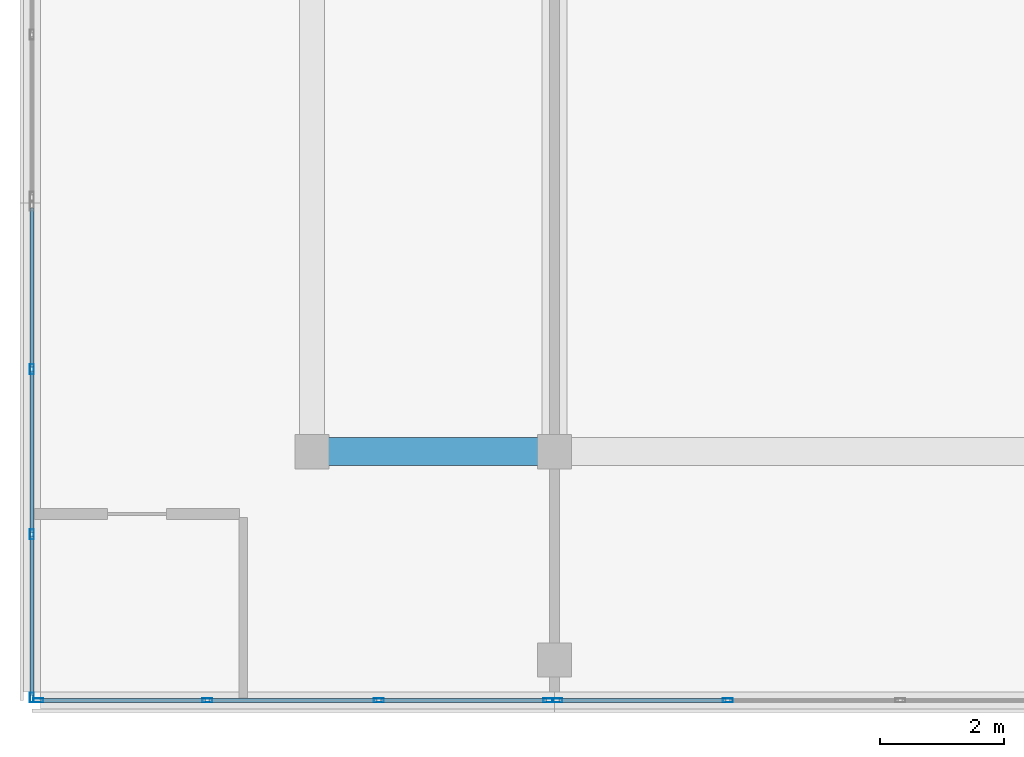
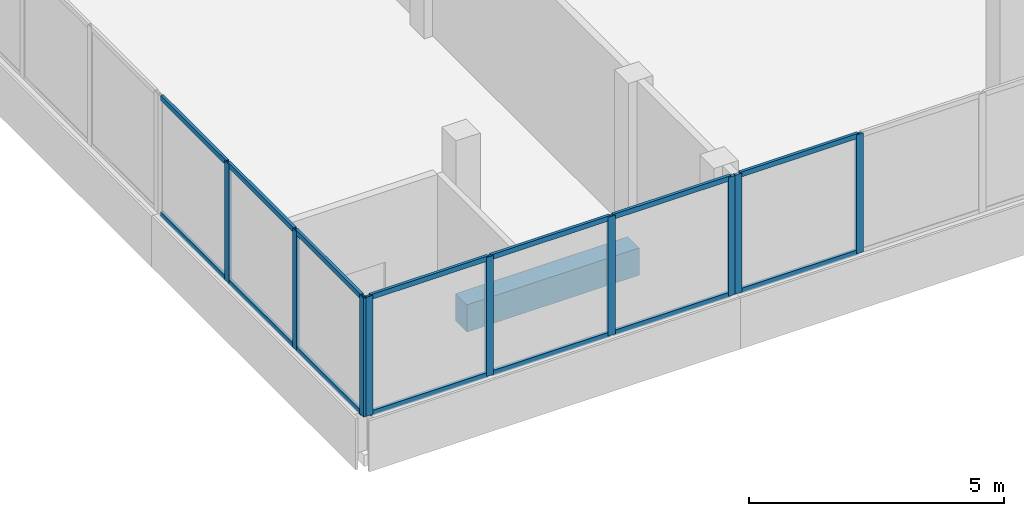
# One storey, part 2 of 66: 23 members, 1 beam, 3 elements without a shape of their own.
"""IFC4 building model written with IfcOpenShell, lengths in metres."""

from ifc_helpers import new_model, si_unit, direction, frame, origin, origin_2d, place, context, subcontext, project, spatial, rectangle, hollow_rectangle, extrude, material, material_profile, profile_set, type_object, element, aggregate, save


model = new_model("IFC4")

# Units and contexts
model_context = context("Model", 3, precision=1e-05, world=origin(), true_north=direction((0.0, 1.0)))
body_context = subcontext(model_context, "Body", "Model", "MODEL_VIEW")
ifc_project = project(units=[si_unit("LENGTHUNIT", "METRE"), si_unit("AREAUNIT", "SQUARE_METRE"), si_unit("VOLUMEUNIT", "CUBIC_METRE"), si_unit("PLANEANGLEUNIT", "RADIAN"), si_unit("MASSUNIT", "GRAM", prefix="KILO")], contexts=[model_context])

# Site, building, storey
site_placement = place(None, origin())
site = spatial("IfcSite", under=ifc_project, at=site_placement, CompositionType="ELEMENT")
building_placement = place(site_placement, origin())
building = spatial("IfcBuilding", under=site, at=building_placement, Name="Selatvlak General Hospital", CompositionType="ELEMENT")
storey_placement = place(building_placement, frame((0.0, 0.0, 31.35009765625)))
storey = spatial("IfcBuildingStorey", under=building, at=storey_placement, Name="L07", CompositionType="ELEMENT", Elevation=31.35009765625)

# Beam
ifc_material_1 = material(Name="Concrete C40/50", Category="concrete")
ifc_material_profile_1 = material_profile(ifc_material_1, rectangle(XDim=0.449951171875, YDim=0.64990234375, at=origin_2d()), Name="RC-BM 450x650")
ifc_profile_set_1 = profile_set([ifc_material_profile_1], Name="Concrete C40/50")
beam_type = type_object("IfcBeamType", Name="BM-G04", PredefinedType="BEAM", material=ifc_profile_set_1)
beam_placement = place(storey_placement, frame((27.300048828125, 92.0, -0.59521484375), z_axis=(1.0, 0.0, 0.0), x_axis=(0.0, 1.0, 0.0)))
element("IfcBeam", 1, at=beam_placement, inside=storey, type_object=beam_type, Name="Beam BMR-L07-2381", PredefinedType="BEAM", context=body_context, shape_type="SweptSolid", body=[
    extrude(rectangle(XDim=0.449951171875, YDim=0.64990234375, at=origin_2d()), origin(), (0.0, 0.0, 1.0), 3.89990234375),
])

# Curtain wall, members
ifc_material_2 = material(Name="Solar-control Low-E double glazing", Category="glass")
curtain_wall_type_1 = type_object("IfcCurtainWallType", Name="CW-CW-01", PredefinedType="USERDEFINED", material=ifc_material_2)
curtain_wall_1_placement = place(storey_placement, origin())
curtain_wall_1 = element("IfcCurtainWall", 2, at=curtain_wall_1_placement, inside=storey, type_object=curtain_wall_type_1, Name="Glazed facade curtain wall CW-L07-0639", ObjectType="UNITISED CURTAIN WALL", PredefinedType="USERDEFINED")
ifc_material_3 = material(Name="Dark anodised aluminium mullion", Category="aluminium")
ifc_material_profile_2 = material_profile(ifc_material_3, hollow_rectangle(XDim=0.06494140625, YDim=0.159912109375, WallThickness=0.00390625, at=origin_2d()), Name="AL-MUL 65x160x4")
ifc_profile_set_2 = profile_set([ifc_material_profile_2], Name="Dark anodised aluminium mullion")
member_type_1 = type_object("IfcMemberType", Name="CWM-01", PredefinedType="MULLION", material=ifc_profile_set_2)
member_1_placement = place(storey_placement, frame((22.800048828125, 88.047607421875, 0.93994140625), z_axis=(0.0, 0.0, 1.0), x_axis=(-1.0, 0.0, 0.0)))
member_1 = element("IfcMember", 3, at=member_1_placement, type_object=member_type_1, Name="CW-01 mullion 1", PredefinedType="MULLION", context=body_context, shape_type="SweptSolid", body=[
    extrude(hollow_rectangle(XDim=0.06494140625, YDim=0.159912109375, WallThickness=0.00390625, at=origin_2d()), origin(), (0.0, 0.0, 1.0), 2.844970703125),
])
member_2_placement = place(storey_placement, frame((22.800048828125, 90.671630859375, 0.93994140625), z_axis=(0.0, 0.0, 1.0), x_axis=(-1.0, 0.0, 0.0)))
member_2 = element("IfcMember", 4, at=member_2_placement, type_object=member_type_1, Name="CW-01 mullion 2", PredefinedType="MULLION", context=body_context, shape_type="SweptSolid", body=[
    extrude(hollow_rectangle(XDim=0.06494140625, YDim=0.159912109375, WallThickness=0.00390625, at=origin_2d()), origin(), (0.0, 0.0, 1.0), 2.844970703125),
])
member_3_placement = place(storey_placement, frame((22.800048828125, 93.328369140625, 0.93994140625), z_axis=(0.0, 0.0, 1.0), x_axis=(-1.0, 0.0, 0.0)))
member_3 = element("IfcMember", 5, at=member_3_placement, type_object=member_type_1, Name="CW-01 mullion 3", PredefinedType="MULLION", context=body_context, shape_type="SweptSolid", body=[
    extrude(hollow_rectangle(XDim=0.06494140625, YDim=0.159912109375, WallThickness=0.00390625, at=origin_2d()), origin(), (0.0, 0.0, 1.0), 2.844970703125),
])

curtain_wall_type_2 = type_object("IfcCurtainWallType", Name="CW-CW-02", PredefinedType="USERDEFINED", material=ifc_material_2)
curtain_wall_2_placement = place(storey_placement, origin())
curtain_wall_2 = element("IfcCurtainWall", 6, at=curtain_wall_2_placement, inside=storey, type_object=curtain_wall_type_2, Name="Glazed facade curtain wall CW-L07-0678", ObjectType="UNITISED CURTAIN WALL", PredefinedType="USERDEFINED")
member_4_placement = place(storey_placement, frame((33.98828125, 88.0, 0.93994140625), z_axis=(0.0, 0.0, 1.0), x_axis=(0.0, -1.0, 0.0)))
member_4 = element("IfcMember", 7, at=member_4_placement, type_object=member_type_1, Name="CW-02 mullion 3", PredefinedType="MULLION", context=body_context, shape_type="SweptSolid", body=[
    extrude(hollow_rectangle(XDim=0.06494140625, YDim=0.159912109375, WallThickness=0.00390625, at=origin_2d()), origin(), (0.0, 0.0, 1.0), 2.844970703125),
])
member_5_placement = place(storey_placement, frame((31.24755859375, 88.0, 0.93994140625), z_axis=(0.0, 0.0, 1.0), x_axis=(0.0, -1.0, 0.0)))
member_5 = element("IfcMember", 8, at=member_5_placement, type_object=member_type_1, Name="CW-02 mullion 4", PredefinedType="MULLION", context=body_context, shape_type="SweptSolid", body=[
    extrude(hollow_rectangle(XDim=0.06494140625, YDim=0.159912109375, WallThickness=0.00390625, at=origin_2d()), origin(), (0.0, 0.0, 1.0), 2.844970703125),
])

curtain_wall_3_placement = place(storey_placement, origin())
curtain_wall_3 = element("IfcCurtainWall", 9, at=curtain_wall_3_placement, inside=storey, type_object=curtain_wall_type_1, Name="Glazed facade curtain wall CW-L07-0679", ObjectType="UNITISED CURTAIN WALL", PredefinedType="USERDEFINED")
member_6_placement = place(storey_placement, frame((31.1025390625, 88.0, 0.93994140625), z_axis=(0.0, 0.0, 1.0), x_axis=(0.0, -1.0, 0.0)))
member_6 = element("IfcMember", 10, at=member_6_placement, type_object=member_type_1, Name="CW-01 mullion 1", PredefinedType="MULLION", context=body_context, shape_type="SweptSolid", body=[
    extrude(hollow_rectangle(XDim=0.06494140625, YDim=0.159912109375, WallThickness=0.00390625, at=origin_2d()), origin(), (0.0, 0.0, 1.0), 2.844970703125),
])
member_7_placement = place(storey_placement, frame((28.37841796875, 88.0, 0.93994140625), z_axis=(0.0, 0.0, 1.0), x_axis=(0.0, -1.0, 0.0)))
member_7 = element("IfcMember", 11, at=member_7_placement, type_object=member_type_1, Name="CW-01 mullion 2", PredefinedType="MULLION", context=body_context, shape_type="SweptSolid", body=[
    extrude(hollow_rectangle(XDim=0.06494140625, YDim=0.159912109375, WallThickness=0.00390625, at=origin_2d()), origin(), (0.0, 0.0, 1.0), 2.844970703125),
])
member_8_placement = place(storey_placement, frame((25.62158203125, 88.0, 0.93994140625), z_axis=(0.0, 0.0, 1.0), x_axis=(0.0, -1.0, 0.0)))
member_8 = element("IfcMember", 12, at=member_8_placement, type_object=member_type_1, Name="CW-01 mullion 3", PredefinedType="MULLION", context=body_context, shape_type="SweptSolid", body=[
    extrude(hollow_rectangle(XDim=0.06494140625, YDim=0.159912109375, WallThickness=0.00390625, at=origin_2d()), origin(), (0.0, 0.0, 1.0), 2.844970703125),
])
member_9_placement = place(storey_placement, frame((22.8974609375, 88.0, 0.93994140625), z_axis=(0.0, 0.0, 1.0), x_axis=(0.0, -1.0, 0.0)))
member_9 = element("IfcMember", 13, at=member_9_placement, type_object=member_type_1, Name="CW-01 mullion 4", PredefinedType="MULLION", context=body_context, shape_type="SweptSolid", body=[
    extrude(hollow_rectangle(XDim=0.06494140625, YDim=0.159912109375, WallThickness=0.00390625, at=origin_2d()), origin(), (0.0, 0.0, 1.0), 2.844970703125),
])

# Member
ifc_material_profile_3 = material_profile(ifc_material_3, hollow_rectangle(XDim=0.06494140625, YDim=0.1201171875, WallThickness=0.00390625, at=origin_2d()), Name="AL-TRN 65x120x4")
ifc_profile_set_3 = profile_set([ifc_material_profile_3], Name="Dark anodised aluminium mullion")
member_type_2 = type_object("IfcMemberType", Name="CWT-01", PredefinedType="USERDEFINED", material=ifc_profile_set_3)
member_10_placement = place(storey_placement, frame((22.800048828125, 88.080078125, 0.972412109375), z_axis=(0.0, 1.0, 0.0), x_axis=(-1.0, 0.0, 0.0)))
member_10 = element("IfcMember", 14, at=member_10_placement, type_object=member_type_2, Name="CW-01 transom 1.1", ObjectType="TRANSOM", PredefinedType="USERDEFINED", context=body_context, shape_type="SweptSolid", body=[
    extrude(hollow_rectangle(XDim=0.06494140625, YDim=0.1201171875, WallThickness=0.00390625, at=origin_2d()), origin(), (0.0, 0.0, 1.0), 2.55908203125),
])

member_11_placement = place(storey_placement, frame((22.800048828125, 88.080078125, 3.75244140625), z_axis=(0.0, 1.0, 0.0), x_axis=(-1.0, 0.0, 0.0)))
member_11 = element("IfcMember", 15, at=member_11_placement, type_object=member_type_2, Name="CW-01 transom 1.2", ObjectType="TRANSOM", PredefinedType="USERDEFINED", context=body_context, shape_type="SweptSolid", body=[
    extrude(hollow_rectangle(XDim=0.06494140625, YDim=0.1201171875, WallThickness=0.00390625, at=origin_2d()), origin(), (0.0, 0.0, 1.0), 2.55908203125),
])

member_12_placement = place(storey_placement, frame((22.800048828125, 90.7041015625, 0.972412109375), z_axis=(0.0, 1.0, 0.0), x_axis=(-1.0, 0.0, 0.0)))
member_12 = element("IfcMember", 16, at=member_12_placement, type_object=member_type_2, Name="CW-01 transom 2.1", ObjectType="TRANSOM", PredefinedType="USERDEFINED", context=body_context, shape_type="SweptSolid", body=[
    extrude(hollow_rectangle(XDim=0.06494140625, YDim=0.1201171875, WallThickness=0.00390625, at=origin_2d()), origin(), (0.0, 0.0, 1.0), 2.591796875),
])

member_13_placement = place(storey_placement, frame((22.800048828125, 90.7041015625, 3.75244140625), z_axis=(0.0, 1.0, 0.0), x_axis=(-1.0, 0.0, 0.0)))
member_13 = element("IfcMember", 17, at=member_13_placement, type_object=member_type_2, Name="CW-01 transom 2.2", ObjectType="TRANSOM", PredefinedType="USERDEFINED", context=body_context, shape_type="SweptSolid", body=[
    extrude(hollow_rectangle(XDim=0.06494140625, YDim=0.1201171875, WallThickness=0.00390625, at=origin_2d()), origin(), (0.0, 0.0, 1.0), 2.591796875),
])

member_14_placement = place(storey_placement, frame((22.800048828125, 93.36083984375, 0.972412109375), z_axis=(0.0, 1.0, 0.0), x_axis=(-1.0, 0.0, 0.0)))
member_14 = element("IfcMember", 18, at=member_14_placement, type_object=member_type_2, Name="CW-01 transom 3.1", ObjectType="TRANSOM", PredefinedType="USERDEFINED", context=body_context, shape_type="SweptSolid", body=[
    extrude(hollow_rectangle(XDim=0.06494140625, YDim=0.1201171875, WallThickness=0.00390625, at=origin_2d()), origin(), (0.0, 0.0, 1.0), 2.55908203125),
])

member_15_placement = place(storey_placement, frame((22.800048828125, 93.36083984375, 3.75244140625), z_axis=(0.0, 1.0, 0.0), x_axis=(-1.0, 0.0, 0.0)))
member_15 = element("IfcMember", 19, at=member_15_placement, type_object=member_type_2, Name="CW-01 transom 3.2", ObjectType="TRANSOM", PredefinedType="USERDEFINED", context=body_context, shape_type="SweptSolid", body=[
    extrude(hollow_rectangle(XDim=0.06494140625, YDim=0.1201171875, WallThickness=0.00390625, at=origin_2d()), origin(), (0.0, 0.0, 1.0), 2.55908203125),
])

aggregate(curtain_wall_1, [member_1, member_2, member_3, member_10, member_11, member_12, member_13, member_14, member_15])

member_16_placement = place(storey_placement, frame((33.955810546875, 88.0, 0.972412109375), z_axis=(-1.0, 0.0, 0.0), x_axis=(0.0, -1.0, 0.0)))
member_16 = element("IfcMember", 20, at=member_16_placement, type_object=member_type_2, Name="CW-02 transom 3.1", ObjectType="TRANSOM", PredefinedType="USERDEFINED", context=body_context, shape_type="SweptSolid", body=[
    extrude(hollow_rectangle(XDim=0.06494140625, YDim=0.1201171875, WallThickness=0.00390625, at=origin_2d()), origin(), (0.0, 0.0, 1.0), 2.67578125),
])

member_17_placement = place(storey_placement, frame((33.955810546875, 88.0, 3.75244140625), z_axis=(-1.0, 0.0, 0.0), x_axis=(0.0, -1.0, 0.0)))
member_17 = element("IfcMember", 21, at=member_17_placement, type_object=member_type_2, Name="CW-02 transom 3.2", ObjectType="TRANSOM", PredefinedType="USERDEFINED", context=body_context, shape_type="SweptSolid", body=[
    extrude(hollow_rectangle(XDim=0.06494140625, YDim=0.1201171875, WallThickness=0.00390625, at=origin_2d()), origin(), (0.0, 0.0, 1.0), 2.67578125),
])

aggregate(curtain_wall_2, [member_4, member_5, member_16, member_17])

member_18_placement = place(storey_placement, frame((31.070068359375, 88.0, 0.972412109375), z_axis=(-1.0, 0.0, 0.0), x_axis=(0.0, -1.0, 0.0)))
member_18 = element("IfcMember", 22, at=member_18_placement, type_object=member_type_2, Name="CW-01 transom 1.1", ObjectType="TRANSOM", PredefinedType="USERDEFINED", context=body_context, shape_type="SweptSolid", body=[
    extrude(hollow_rectangle(XDim=0.06494140625, YDim=0.1201171875, WallThickness=0.00390625, at=origin_2d()), origin(), (0.0, 0.0, 1.0), 2.6591796875),
])

member_19_placement = place(storey_placement, frame((31.070068359375, 88.0, 3.75244140625), z_axis=(-1.0, 0.0, 0.0), x_axis=(0.0, -1.0, 0.0)))
member_19 = element("IfcMember", 23, at=member_19_placement, type_object=member_type_2, Name="CW-01 transom 1.2", ObjectType="TRANSOM", PredefinedType="USERDEFINED", context=body_context, shape_type="SweptSolid", body=[
    extrude(hollow_rectangle(XDim=0.06494140625, YDim=0.1201171875, WallThickness=0.00390625, at=origin_2d()), origin(), (0.0, 0.0, 1.0), 2.6591796875),
])

member_20_placement = place(storey_placement, frame((28.345947265625, 88.0, 0.972412109375), z_axis=(-1.0, 0.0, 0.0), x_axis=(0.0, -1.0, 0.0)))
member_20 = element("IfcMember", 24, at=member_20_placement, type_object=member_type_2, Name="CW-01 transom 2.1", ObjectType="TRANSOM", PredefinedType="USERDEFINED", context=body_context, shape_type="SweptSolid", body=[
    extrude(hollow_rectangle(XDim=0.06494140625, YDim=0.1201171875, WallThickness=0.00390625, at=origin_2d()), origin(), (0.0, 0.0, 1.0), 2.69189453125),
])

member_21_placement = place(storey_placement, frame((28.345947265625, 88.0, 3.75244140625), z_axis=(-1.0, 0.0, 0.0), x_axis=(0.0, -1.0, 0.0)))
member_21 = element("IfcMember", 25, at=member_21_placement, type_object=member_type_2, Name="CW-01 transom 2.2", ObjectType="TRANSOM", PredefinedType="USERDEFINED", context=body_context, shape_type="SweptSolid", body=[
    extrude(hollow_rectangle(XDim=0.06494140625, YDim=0.1201171875, WallThickness=0.00390625, at=origin_2d()), origin(), (0.0, 0.0, 1.0), 2.69189453125),
])

member_22_placement = place(storey_placement, frame((25.589111328125, 88.0, 0.972412109375), z_axis=(-1.0, 0.0, 0.0), x_axis=(0.0, -1.0, 0.0)))
member_22 = element("IfcMember", 26, at=member_22_placement, type_object=member_type_2, Name="CW-01 transom 3.1", ObjectType="TRANSOM", PredefinedType="USERDEFINED", context=body_context, shape_type="SweptSolid", body=[
    extrude(hollow_rectangle(XDim=0.06494140625, YDim=0.1201171875, WallThickness=0.00390625, at=origin_2d()), origin(), (0.0, 0.0, 1.0), 2.6591796875),
])

member_23_placement = place(storey_placement, frame((25.589111328125, 88.0, 3.75244140625), z_axis=(-1.0, 0.0, 0.0), x_axis=(0.0, -1.0, 0.0)))
member_23 = element("IfcMember", 27, at=member_23_placement, type_object=member_type_2, Name="CW-01 transom 3.2", ObjectType="TRANSOM", PredefinedType="USERDEFINED", context=body_context, shape_type="SweptSolid", body=[
    extrude(hollow_rectangle(XDim=0.06494140625, YDim=0.1201171875, WallThickness=0.00390625, at=origin_2d()), origin(), (0.0, 0.0, 1.0), 2.6591796875),
])

aggregate(curtain_wall_3, [member_6, member_7, member_8, member_9, member_18, member_19, member_20, member_21, member_22, member_23])

save(model, "model.ifc")
